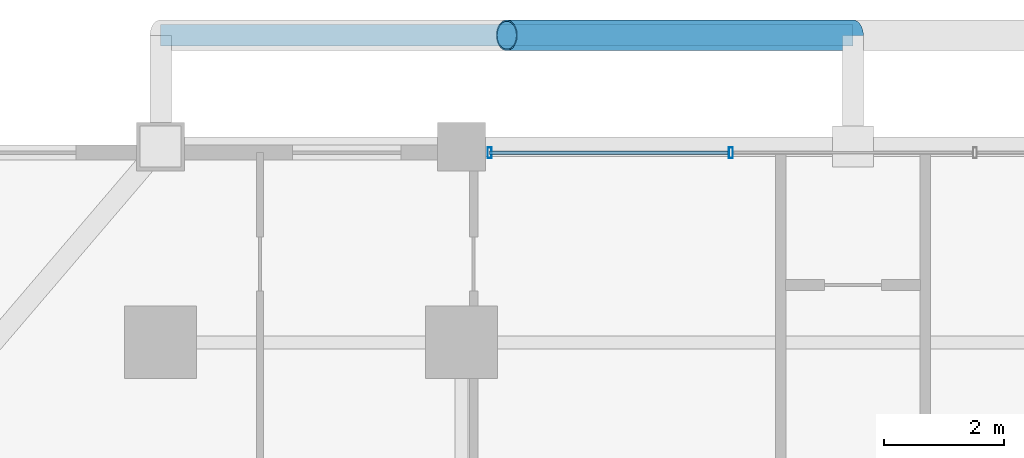
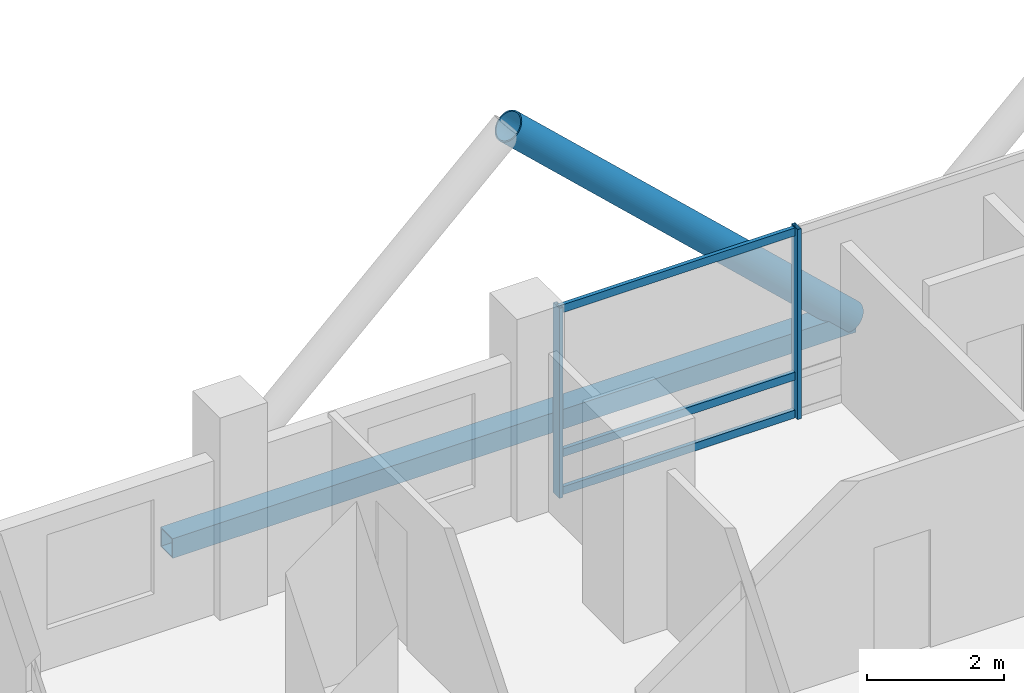
# One storey, part 14 of 25: 7 members, 1 element without a shape of its own.
"""IFC4 building model written with IfcOpenShell, lengths in metres."""

from ifc_helpers import new_model, si_unit, direction, frame, origin, origin_2d, place, context, subcontext, project, spatial, hollow_rectangle, hollow_circle, extrude, material, layer, layer_set, material_profile, profile_set, type_object, element, aggregate, save


model = new_model("IFC4")

# Units and contexts
model_context = context("Model", 3, precision=1e-05, world=origin(), true_north=direction((0.0, 1.0)))
body_context = subcontext(model_context, "Body", "Model", "MODEL_VIEW")
ifc_project = project(units=[si_unit("LENGTHUNIT", "METRE"), si_unit("AREAUNIT", "SQUARE_METRE"), si_unit("VOLUMEUNIT", "CUBIC_METRE"), si_unit("PLANEANGLEUNIT", "RADIAN"), si_unit("MASSUNIT", "GRAM", prefix="KILO")], contexts=[model_context])

# Site, building, storey
site_placement = place(None, origin())
site = spatial("IfcSite", under=ifc_project, at=site_placement, CompositionType="ELEMENT")
building_placement = place(site_placement, origin())
building = spatial("IfcBuilding", under=site, at=building_placement, Name="Barlavira Tower and Art Museum", CompositionType="ELEMENT")
storey_placement = place(building_placement, frame((0.0, 0.0, 133.199951171875)))
storey = spatial("IfcBuildingStorey", under=building, at=storey_placement, Name="L33", CompositionType="ELEMENT", Elevation=133.199951171875)

# Curtain wall, members
ifc_material_1 = material(Name="Low-iron coastal laminated glass", Category="glass")
ifc_layer = layer(ifc_material_1, 0.18994140625, Name="Low-iron coastal laminated glass")
ifc_layer_set = layer_set([ifc_layer], Name="Low-iron coastal laminated glass")
curtain_wall_type = type_object("IfcCurtainWallType", Name="Pale-Metal Unitised Curtain Wall Zone 2", PredefinedType="NOTDEFINED", material=ifc_layer_set)
curtain_wall_placement = place(storey_placement, origin())
curtain_wall = element("IfcCurtainWall", 1, at=curtain_wall_placement, inside=storey, type_object=curtain_wall_type, Name="L33 Curtain Wall CW2-L33-N-B3", PredefinedType="NOTDEFINED")
ifc_material_2 = material(Name="Pale anodised aluminium", Category="aluminium")
ifc_material_profile_1 = material_profile(ifc_material_2, hollow_rectangle(XDim=0.06494140625, YDim=0.179931640625, WallThickness=0.00390625, at=origin_2d()), Name="ALU-MULL 65x180x4")
ifc_profile_set_1 = profile_set([ifc_material_profile_1], Name="Pale anodised aluminium")
member_type_1 = type_object("IfcMemberType", Name="Curtain Wall Pale-Metal Mullion 65x180", PredefinedType="MULLION", material=ifc_profile_set_1)
member_1_placement = place(storey_placement, frame((-2.026611328125, 23.14990234375, 0.0), z_axis=(0.0, 0.0, 1.0), x_axis=(-1.0, 0.0, 0.0)))
member_1 = element("IfcMember", 2, at=member_1_placement, type_object=member_type_1, Name="CW2-L33-N-B3 Mullion 2", PredefinedType="MULLION", context=body_context, shape_type="SweptSolid", body=[
    extrude(hollow_rectangle(XDim=0.06494140625, YDim=0.179931640625, WallThickness=0.00390625, at=origin_2d()), origin(), (0.0, 0.0, 1.0), 3.380126953125),
])
member_2_placement = place(storey_placement, frame((-6.034912109375, 23.14990234375, 0.0), z_axis=(0.0, 0.0, 1.0), x_axis=(-1.0, 0.0, 0.0)))
member_2 = element("IfcMember", 3, at=member_2_placement, type_object=member_type_1, Name="CW2-L33-N-B3 Mullion 3", PredefinedType="MULLION", context=body_context, shape_type="SweptSolid", body=[
    extrude(hollow_rectangle(XDim=0.06494140625, YDim=0.179931640625, WallThickness=0.00390625, at=origin_2d()), origin(), (0.0, 0.0, 1.0), 3.380126953125),
])
ifc_material_profile_2 = material_profile(ifc_material_2, hollow_rectangle(XDim=0.06494140625, YDim=0.139892578125, WallThickness=0.00390625, at=origin_2d()), Name="ALU-TRAN 65x140x4")
ifc_profile_set_2 = profile_set([ifc_material_profile_2], Name="Pale anodised aluminium")
member_type_2 = type_object("IfcMemberType", Name="Curtain Wall Pale-Metal Transom 65x140", PredefinedType="USERDEFINED", material=ifc_profile_set_2)
member_3_placement = place(storey_placement, frame((-2.07177734375, 23.14990234375, 0.070068359375), z_axis=(-1.0, 0.0, 0.0), x_axis=(0.0, -1.0, 0.0)))
member_3 = element("IfcMember", 4, at=member_3_placement, type_object=member_type_2, Name="CW2-L33-N-B3 Transom 2.1", ObjectType="TRANSOM", PredefinedType="USERDEFINED", context=body_context, shape_type="SweptSolid", body=[
    extrude(hollow_rectangle(XDim=0.06494140625, YDim=0.139892578125, WallThickness=0.00390625, at=origin_2d()), origin(), (0.0, 0.0, 1.0), 3.963134765625),
])
member_4_placement = place(storey_placement, frame((-2.07177734375, 23.14990234375, 0.744140625), z_axis=(-1.0, 0.0, 0.0), x_axis=(0.0, -1.0, 0.0)))
member_4 = element("IfcMember", 5, at=member_4_placement, type_object=member_type_2, Name="CW2-L33-N-B3 Transom 2.2", ObjectType="TRANSOM", PredefinedType="USERDEFINED", context=body_context, shape_type="SweptSolid", body=[
    extrude(hollow_rectangle(XDim=0.06494140625, YDim=0.139892578125, WallThickness=0.00390625, at=origin_2d()), origin(), (0.0, 0.0, 1.0), 3.963134765625),
])
member_5_placement = place(storey_placement, frame((-2.07177734375, 23.14990234375, 3.31005859375), z_axis=(-1.0, 0.0, 0.0), x_axis=(0.0, -1.0, 0.0)))
member_5 = element("IfcMember", 6, at=member_5_placement, type_object=member_type_2, Name="CW2-L33-N-B3 Transom 2.3", ObjectType="TRANSOM", PredefinedType="USERDEFINED", context=body_context, shape_type="SweptSolid", body=[
    extrude(hollow_rectangle(XDim=0.06494140625, YDim=0.139892578125, WallThickness=0.00390625, at=origin_2d()), origin(), (0.0, 0.0, 1.0), 3.963134765625),
])
aggregate(curtain_wall, [member_1, member_2, member_3, member_4, member_5])

# Members
ifc_material_3 = material(Name="Steel S355", Category="steel")
ifc_material_profile_3 = material_profile(ifc_material_3, hollow_circle(Radius=0.25390625, WallThickness=0.022216796875, at=origin_2d()), Name="CHS 508.0x22.2")
ifc_profile_set_3 = profile_set([ifc_material_profile_3], Name="Steel S355")
member_type_3 = type_object("IfcMemberType", Name="Pale-Metal Exoskeleton Diagrid Tube CHS 508x22 Steel S355", PredefinedType="BRACE", material=ifc_profile_set_3)
member_6_placement = place(storey_placement, frame((0.0, 25.10009765625, -0.119873046875), z_axis=(-0.728950095515, 0.0, 0.684566839869), x_axis=(0.0, -1.0, 0.0)))
element("IfcMember", 7, at=member_6_placement, inside=storey, type_object=member_type_3, Name="L33 Exoskeleton Diagrid Tube N", PredefinedType="BRACE", context=body_context, shape_type="SweptSolid", body=[
    extrude(hollow_circle(Radius=0.25390625, WallThickness=0.022216796875, at=origin_2d()), origin(), (0.0, 0.0, 1.0), 7.887939453125),
])
ifc_material_profile_4 = material_profile(ifc_material_3, hollow_rectangle(XDim=0.35009765625, YDim=0.35009765625, WallThickness=0.02001953125, at=origin_2d()), Name="SHS 350x350x20.0")
ifc_profile_set_4 = profile_set([ifc_material_profile_4], Name="Steel S355")
member_type_4 = type_object("IfcMemberType", Name="Pale-Metal Exoskeleton Ring Strut SHS 350x350x20 Steel S355", PredefinedType="STRUT", material=ifc_profile_set_4)
member_7_placement = place(storey_placement, frame((-11.5, 25.10009765625, -0.119873046875), z_axis=(1.0, 0.0, 0.0), x_axis=(0.0, 1.0, 0.0)))
element("IfcMember", 8, at=member_7_placement, inside=storey, type_object=member_type_4, Name="L33 Exoskeleton Ring Strut N", PredefinedType="STRUT", context=body_context, shape_type="SweptSolid", body=[
    extrude(hollow_rectangle(XDim=0.35009765625, YDim=0.35009765625, WallThickness=0.02001953125, at=origin_2d()), origin(), (0.0, 0.0, 1.0), 11.5),
])

save(model, "model.ifc")
